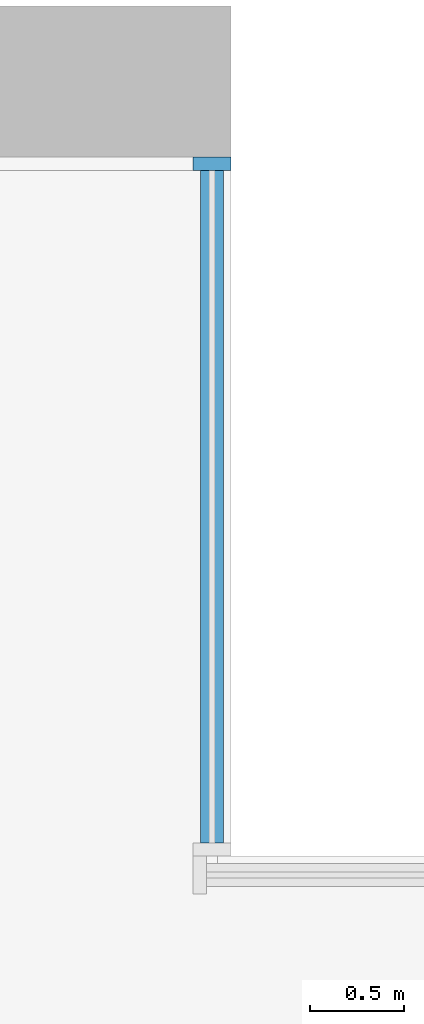
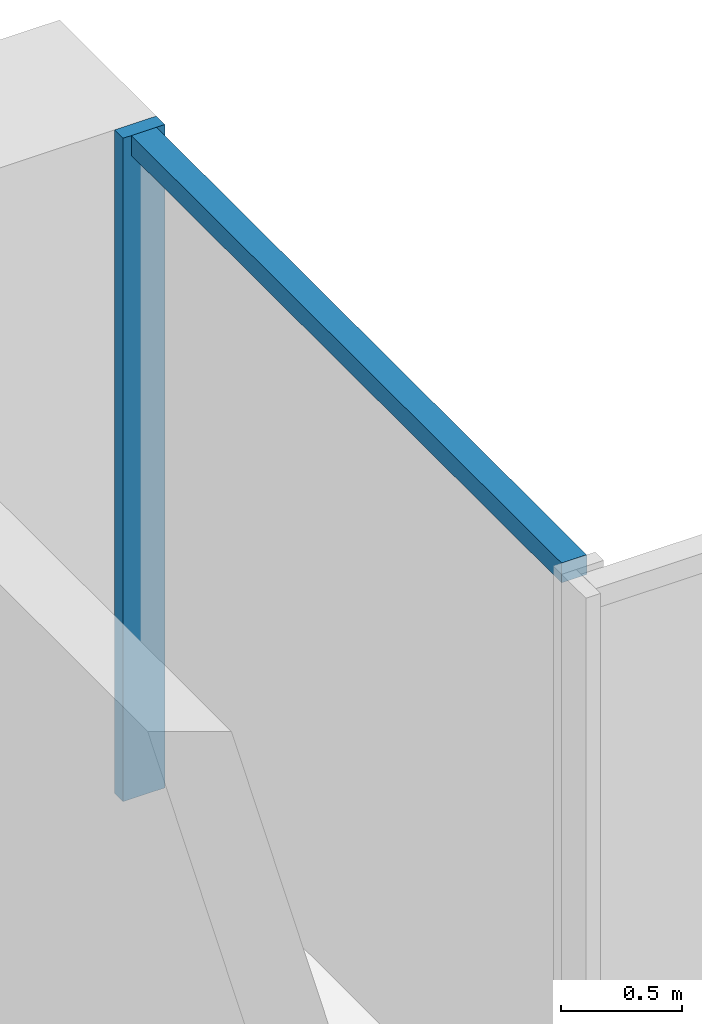
# One storey, part 6 of 17: 2 members, 1 element without a shape of its own.
"""IFC4 building model written with IfcOpenShell, lengths in metres."""

import ifcopenshell
import ifcopenshell.guid

model = None  # the IFC model being written
_history = None  # IfcOwnerHistory: only IFC2X3 demands one
_inside = {}  # id of a spatial element -> (the spatial element, [elements in it])
_under = {}  # id of a project, library or spatial element -> (it, [spatial elements below it])
_declared = {}  # id of a project -> (the project, [libraries it declares])
_typed = {}  # id of a type object -> (the type object, [elements of that type])
_made_of = {}  # id of a material, layer set ... -> (it, [elements and type objects made of it])


def new_model(schema):
    """Start an empty IFC model of exactly this schema.

    Asked for "IFC4X3", IfcOpenShell would pick the latest addendum, in which some entities
    have other attributes; the version numbers below select the first issue.
    IFC2X3 requires an IfcOwnerHistory on every rooted entity: one is made here for all.
    """
    global model, _history
    if schema == "IFC4X3":
        model = ifcopenshell.file(schema_version=(4, 3, 0, 0))
    else:
        model = ifcopenshell.file(schema=schema)
    _inside.clear()
    _under.clear()
    _declared.clear()
    _typed.clear()
    _made_of.clear()
    _history = None
    if model.schema == "IFC2X3":
        org = make("IfcOrganization", Name="unknown")
        user = make(
            "IfcPersonAndOrganization",
            ThePerson=make("IfcPerson", FamilyName="unknown"),
            TheOrganization=org,
        )
        app = make(
            "IfcApplication",
            ApplicationDeveloper=org,
            Version="unknown",
            ApplicationFullName="unknown",
            ApplicationIdentifier="unknown",
        )
        _history = make(
            "IfcOwnerHistory",
            OwningUser=user,
            OwningApplication=app,
            ChangeAction="ADDED",
            CreationDate=0,
        )
    return model


def make(cls, **values):
    """One entity of the class cls with the attributes given. An attribute that is None is left unset."""
    return model.create_entity(
        cls, **{name: value for name, value in values.items() if value is not None}
    )


def rooted(cls, **values):
    """An entity with a GlobalId (a new one), such as an element, a storey or a relation."""
    return make(cls, GlobalId=ifcopenshell.guid.new(), OwnerHistory=_history, **values)


def si_unit(unit_type, name, prefix=None):
    """IfcSIUnit, for example si_unit("LENGTHUNIT", "METRE", prefix="MILLI")."""
    return make("IfcSIUnit", UnitType=unit_type, Prefix=prefix, Name=name)


def assignment(units):
    """IfcUnitAssignment: the units of a project."""
    return None if units is None else make("IfcUnitAssignment", Units=units)


def point(xyz):
    """IfcCartesianPoint."""
    return None if xyz is None else make("IfcCartesianPoint", Coordinates=xyz)


def direction(xyz):
    """IfcDirection."""
    return None if xyz is None else make("IfcDirection", DirectionRatios=xyz)


def frame(location, z_axis=None, x_axis=None):
    """IfcAxis2Placement3D, a coordinate frame: its origin and axes. An axis left out is left unset."""
    return make(
        "IfcAxis2Placement3D",
        Location=point(location),
        Axis=direction(z_axis),
        RefDirection=direction(x_axis),
    )


def frame_2d(location, x_axis=None):
    """IfcAxis2Placement2D, a coordinate frame in the plane: its origin and x axis."""
    return make(
        "IfcAxis2Placement2D", Location=point(location), RefDirection=direction(x_axis)
    )


def origin():
    """The frame at (0, 0, 0) with its axes left unset."""
    return frame((0.0, 0.0, 0.0))


def origin_2d():
    """The frame at (0, 0) in the plane with its x axis left unset."""
    return frame_2d((0.0, 0.0))


def place(relative_to, where):
    """IfcLocalPlacement: puts the frame where relative to a parent placement (None: the world)."""
    return make(
        "IfcLocalPlacement", PlacementRelTo=relative_to, RelativePlacement=where
    )


def context(
    kind, dimensions, precision=None, world=None, true_north=None, identifier=None
):
    """IfcGeometricRepresentationContext, for example the 3D "Model" context."""
    return make(
        "IfcGeometricRepresentationContext",
        ContextIdentifier=identifier,
        ContextType=kind,
        CoordinateSpaceDimension=dimensions,
        Precision=precision,
        WorldCoordinateSystem=world,
        TrueNorth=true_north,
    )


def subcontext(parent, identifier, kind, view, scale=None):
    """IfcGeometricRepresentationSubContext, for example "Body" below "Model"."""
    return make(
        "IfcGeometricRepresentationSubContext",
        ContextIdentifier=identifier,
        ContextType=kind,
        ParentContext=parent,
        TargetScale=scale,
        TargetView=view,
    )


def project(units=None, contexts=None):
    """IfcProject with its units and contexts."""
    return rooted(
        "IfcProject",
        Name="project",
        RepresentationContexts=contexts,
        UnitsInContext=assignment(units),
    )


def spatial(cls, under=None, at=None, **own):
    """A site, building, storey or space (cls), placed at a placement, below another one or the project."""
    s = rooted(cls, ObjectPlacement=at, **own)
    if under is not None:
        _under.setdefault(under.id(), (under, []))[1].append(s)
    return s


def profile(cls, at=None, kind="AREA", **sizes):
    """A parametric profile (cls). Its sizes go by their IFC names, for example OverallWidth=200.0."""
    return make(cls, ProfileType=kind, Position=at, **sizes)


def rectangle(**sizes):
    """IfcRectangleProfileDef."""
    return profile("IfcRectangleProfileDef", **sizes)


def extrude(swept, where, along, depth):
    """IfcExtrudedAreaSolid: the profile swept, set in the frame where, extruded along a direction by depth."""
    return make(
        "IfcExtrudedAreaSolid",
        SweptArea=swept,
        Position=where,
        ExtrudedDirection=direction(along),
        Depth=depth,
    )


def shape(context_of_items, identifier, shape_type, items):
    """IfcShapeRepresentation: the items that make up one representation, for example the "Body"."""
    return make(
        "IfcShapeRepresentation",
        ContextOfItems=context_of_items,
        RepresentationIdentifier=identifier,
        RepresentationType=shape_type,
        Items=items,
    )


def material(Name=None, Category=None):
    """IfcMaterial."""
    return make("IfcMaterial", Name=Name, Category=Category)


def material_profile(
    of_material, cross_section, Name=None, Category=None, Priority=None
):
    """IfcMaterialProfile: a cross section and its material."""
    return make(
        "IfcMaterialProfile",
        Name=Name,
        Material=of_material,
        Profile=cross_section,
        Priority=Priority,
        Category=Category,
    )


def profile_set(profiles, Name=None, composite=None):
    """IfcMaterialProfileSet."""
    return make(
        "IfcMaterialProfileSet",
        Name=Name,
        MaterialProfiles=profiles,
        CompositeProfile=composite,
    )


def made_of(thing, what):
    """Note that an element or type object is made of a material, layer set ...; save() writes the relation."""
    if what is not None:
        _made_of.setdefault(what.id(), (what, []))[1].append(thing)
    return thing


def type_object(cls, material=None, **own):
    """A type object (cls), such as IfcWallType, which elements share."""
    return made_of(rooted(cls, **own), material)


def element(
    cls,
    number,
    at=None,
    inside=None,
    cuts=None,
    type_object=None,
    material=None,
    context=None,
    identifier="Body",
    shape_type=None,
    held_by="IfcProductDefinitionShape",
    body=None,
    shapes=None,
    **own,
):
    """One element of the class cls, such as IfcWall. Its Tag is "e" and its number.

    at: its placement. inside: the storey or other place that contains it. cuts: it is an
    opening in that element (IfcRelVoidsElement). A single representation is given by context,
    identifier, shape_type and body (its items); several are given by shapes. held_by: the class
    of the entity that holds the representations. save() writes the other relations.
    """
    e = rooted(cls, Tag="e%d" % number, ObjectPlacement=at, **own)
    if body is not None:
        shapes = [shape(context, identifier, shape_type, body)]
    if shapes is not None:
        e.Representation = make(held_by, Representations=shapes)
    if inside is not None:
        _inside.setdefault(inside.id(), (inside, []))[1].append(e)
    if cuts is not None:
        rooted(
            "IfcRelVoidsElement", RelatingBuildingElement=cuts, RelatedOpeningElement=e
        )
    if type_object is not None:
        _typed.setdefault(type_object.id(), (type_object, []))[1].append(e)
    return made_of(e, material)


def aggregate(whole, parts):
    """IfcRelAggregates: a whole, such as a stair, and the parts it consists of."""
    return rooted("IfcRelAggregates", RelatingObject=whole, RelatedObjects=parts)


def save(model, path):
    """Write the relations noted so far, then the file.

    IfcRelAggregates (storeys below a building ...), IfcRelContainedInSpatialStructure (elements
    in a storey), IfcRelDefinesByType, IfcRelAssociatesMaterial and IfcRelDeclares: one each for
    every whole, place, type object, material and project.
    """
    for whole, parts in _under.values():
        aggregate(whole, parts)
    for where, things in _inside.values():
        rooted(
            "IfcRelContainedInSpatialStructure",
            RelatedElements=things,
            RelatingStructure=where,
        )
    for kind, things in _typed.values():
        rooted("IfcRelDefinesByType", RelatedObjects=things, RelatingType=kind)
    for what, things in _made_of.values():
        rooted("IfcRelAssociatesMaterial", RelatedObjects=things, RelatingMaterial=what)
    for by, libraries in _declared.values():
        rooted("IfcRelDeclares", RelatingContext=by, RelatedDefinitions=libraries)
    model.write(path)


model = new_model("IFC4")

# Units and contexts
model_context = context("Model", 3, precision=1e-05, world=origin(), true_north=direction((0.0, 1.0)))
body_context = subcontext(model_context, "Body", "Model", "MODEL_VIEW")
ifc_project = project(units=[si_unit("LENGTHUNIT", "METRE"), si_unit("AREAUNIT", "SQUARE_METRE"), si_unit("VOLUMEUNIT", "CUBIC_METRE"), si_unit("PLANEANGLEUNIT", "RADIAN"), si_unit("MASSUNIT", "GRAM", prefix="KILO")], contexts=[model_context])

# Site, building, storey
site_placement = place(None, origin())
site = spatial("IfcSite", under=ifc_project, at=site_placement, CompositionType="ELEMENT")
building_placement = place(site_placement, origin())
building = spatial("IfcBuilding", under=site, at=building_placement, Name="Calvaro Tower", CompositionType="ELEMENT")
storey_placement = place(building_placement, frame((0.0, 0.0, 98.75)))
storey = spatial("IfcBuildingStorey", under=building, at=storey_placement, Name="L24", CompositionType="ELEMENT", Elevation=98.75)

# Curtain wall, members
ifc_material_1 = material(Name="Anodised aluminium", Category="aluminium")
curtain_wall_type = type_object("IfcCurtainWallType", Name="Office curtain wall, middle zone", PredefinedType="NOTDEFINED", material=ifc_material_1)
curtain_wall_placement = place(storey_placement, origin())
curtain_wall = element("IfcCurtainWall", 1, at=curtain_wall_placement, inside=storey, type_object=curtain_wall_type, Name="CW2 corner curtain wall", PredefinedType="NOTDEFINED")
ifc_material_2 = material(Name="Anodised aluminium", Category="aluminium")
ifc_material_profile_1 = material_profile(ifc_material_2, rectangle(XDim=0.199951171875, YDim=0.070068359375, at=origin_2d()), Name="Mullion S2 70 x 200")
ifc_profile_set_1 = profile_set([ifc_material_profile_1], Name="Anodised aluminium")
member_type_1 = type_object("IfcMemberType", Name="Mullion S2 70 x 200", PredefinedType="MULLION", material=ifc_profile_set_1)
member_1_placement = place(storey_placement, frame((66.35009765625, 45.1650390625, 0.0), z_axis=(0.0, 0.0, 1.0), x_axis=(-1.0, 0.0, 0.0)))
member_1 = element("IfcMember", 2, at=member_1_placement, type_object=member_type_1, Name="CW2 mullion 2", PredefinedType="MULLION", context=body_context, shape_type="SweptSolid", body=[
    extrude(rectangle(XDim=0.199951171875, YDim=0.070068359375, at=origin_2d()), origin(), (0.0, 0.0, 1.0), 3.35009765625),
])
ifc_material_3 = material(Name="Anodised aluminium", Category="aluminium")
ifc_material_profile_2 = material_profile(ifc_material_3, rectangle(XDim=0.1201171875, YDim=0.10009765625, at=origin_2d()), Name="Transom S2 100 x 120")
ifc_profile_set_2 = profile_set([ifc_material_profile_2], Name="Anodised aluminium")
member_type_2 = type_object("IfcMemberType", Name="Transom S2 100 x 120", PredefinedType="USERDEFINED", material=ifc_profile_set_2)
member_2_placement = place(storey_placement, frame((66.35009765625, 41.570068359375, 3.300048828125), z_axis=(0.0, 1.0, 0.0), x_axis=(-1.0, 0.0, 0.0)))
member_2 = element("IfcMember", 3, at=member_2_placement, type_object=member_type_2, Name="CW2 transom 1.1", ObjectType="TRANSOM", PredefinedType="USERDEFINED", context=body_context, shape_type="SweptSolid", body=[
    extrude(rectangle(XDim=0.1201171875, YDim=0.10009765625, at=origin_2d()), origin(), (0.0, 0.0, 1.0), 3.559814453125),
])
aggregate(curtain_wall, [member_1, member_2])

save(model, "model.ifc")
